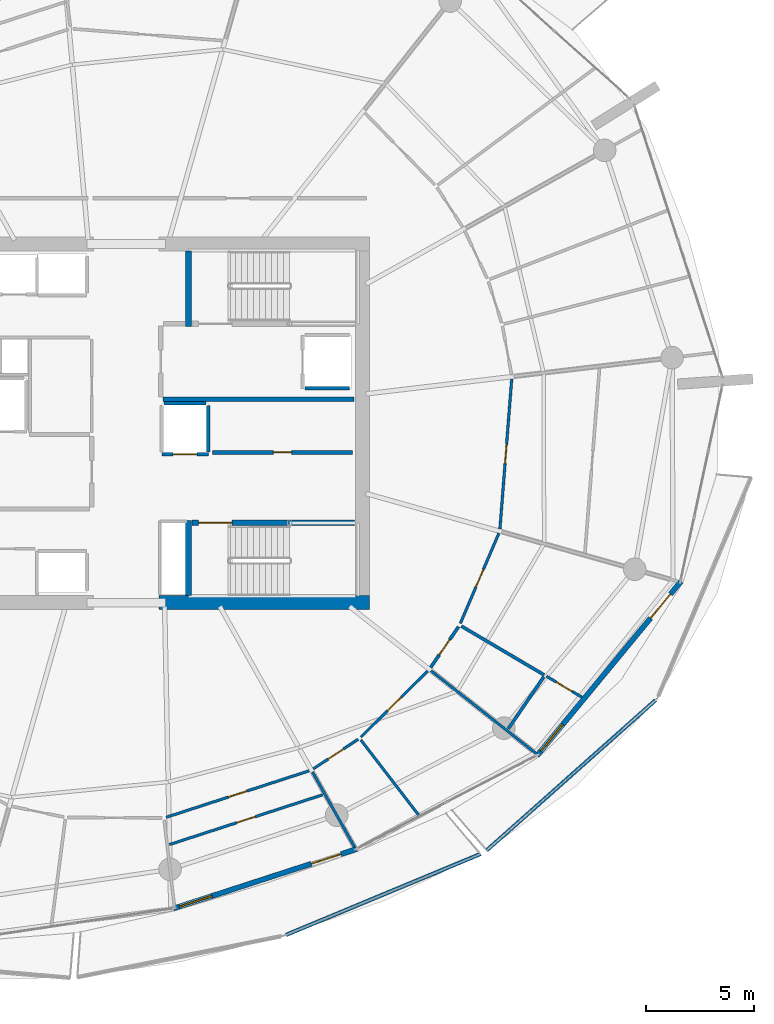
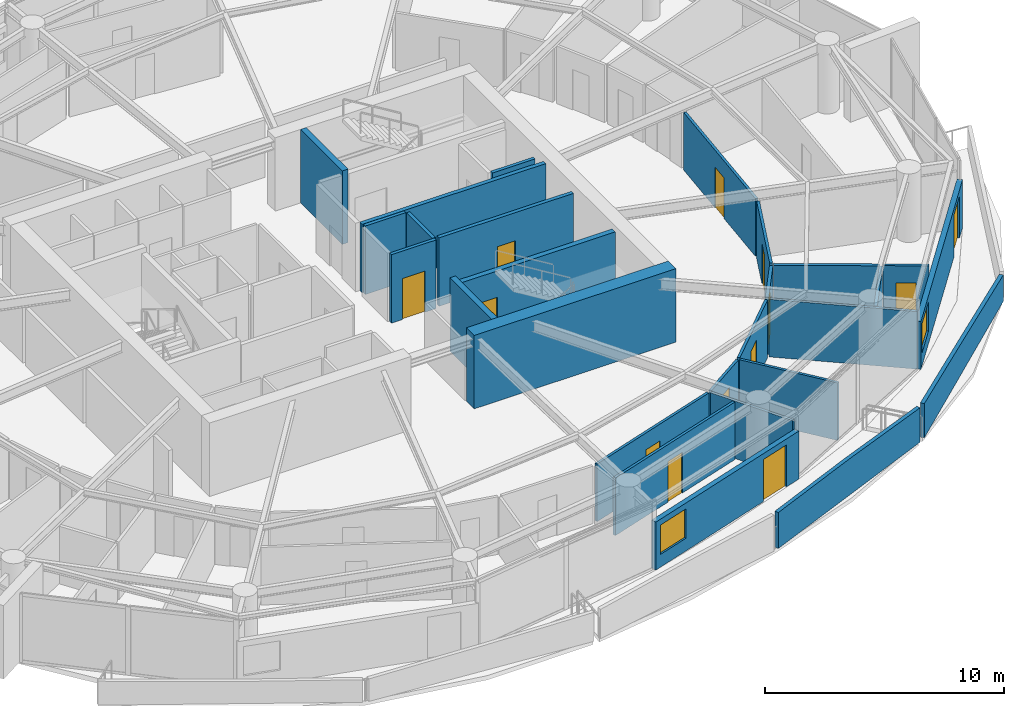
# One storey, part 13 of 21: 27 walls, 13 doors, 2 windows, 15 openings.
"""IFC4 building model written with IfcOpenShell, lengths in metres."""

from ifc_helpers import new_model, si_unit, direction, frame, frame_2d, origin, place, context, subcontext, project, spatial, polyline, rectangle, outline, extrude, material, layer, layer_set, type_object, element, fill, save


model = new_model("IFC4")

# Units and contexts
model_context = context("Model", 3, precision=1e-05, world=origin(), true_north=direction((0.0, 1.0)))
body_context = subcontext(model_context, "Body", "Model", "MODEL_VIEW")
ifc_project = project(units=[si_unit("LENGTHUNIT", "METRE"), si_unit("AREAUNIT", "SQUARE_METRE"), si_unit("VOLUMEUNIT", "CUBIC_METRE"), si_unit("PLANEANGLEUNIT", "RADIAN"), si_unit("MASSUNIT", "GRAM", prefix="KILO")], contexts=[model_context])

# Site, building, storey
site_placement = place(None, origin())
site = spatial("IfcSite", under=ifc_project, at=site_placement, CompositionType="ELEMENT")
building_placement = place(site_placement, origin())
building = spatial("IfcBuilding", under=site, at=building_placement, Name="Kazma Halo Residences", CompositionType="ELEMENT")
storey_placement = place(building_placement, frame((0.0, 0.0, 195.300048828125)))
storey = spatial("IfcBuildingStorey", under=building, at=storey_placement, Name="L49", CompositionType="ELEMENT", Elevation=195.300048828125)

# Walls
ifc_material_1 = material(Name="White Concrete C50/60 Balustrade", Category="concrete")
ifc_layer_1 = layer(ifc_material_1, 0.179931640625)
ifc_layer_set_1 = layer_set([ifc_layer_1], Name="White Concrete C50/60 Balustrade")
wall_type_1 = type_object("IfcWallType", Name="WL-BAL-WAVE-180", PredefinedType="PARAPET", material=ifc_layer_set_1)
wall_1_placement = place(storey_placement, frame((55.8408203125, 18.25537109375, 0.0), z_axis=(0.0, 0.0, 1.0), x_axis=(0.923266030552, 0.38416121203, 0.0)))
element("IfcWall", 1, at=wall_1_placement, inside=storey, type_object=wall_type_1, Name="L49 white wave balustrade wall SSE.2", PredefinedType="PARAPET", context=body_context, shape_type="SweptSolid", body=[
    extrude(outline(polyline([(0.0, 0.0), (9.772216796875, 0.0), (9.772216796875, 1.755859375), (4.885986328125, 1.85302734375), (0.0, 1.83203125), (0.0, 0.0)])), frame((0.0, 0.08984375, 0.0), z_axis=(0.0, -1.0, 0.0), x_axis=(1.0, 0.0, 0.0)), (0.0, 0.0, 1.0), 0.179931640625),
])
wall_2_placement = place(storey_placement, frame((65.144287109375, 22.17333984375, 0.0), z_axis=(0.0, 0.0, 1.0), x_axis=(0.747315583536, 0.664469275892, 0.0)))
element("IfcWall", 2, at=wall_2_placement, inside=storey, type_object=wall_type_1, Name="L49 white wave balustrade wall SE.1", PredefinedType="PARAPET", context=body_context, shape_type="SweptSolid", body=[
    extrude(outline(polyline([(0.0, 0.0), (10.490966796875, 0.0), (10.4912109375, 1.347900390625), (5.24560546875, 1.56201171875), (0.0, 1.7470703125), (0.0, 0.0)])), frame((0.0, 0.08984375, 0.0), z_axis=(0.0, -1.0, 0.0), x_axis=(1.0, 0.0, 0.0)), (0.0, 0.0, 1.0), 0.179931640625),
])
ifc_material_2 = material(Name="Concrete C60/75", Category="concrete")
ifc_layer_2 = layer(ifc_material_2, 0.64990234375)
ifc_layer_set_2 = layer_set([ifc_layer_2], Name="Concrete C60/75")
wall_type_2 = type_object("IfcWallType", Name="WL-CORE-650", PredefinedType="SHEAR", material=ifc_layer_set_2)
wall_3_placement = place(storey_placement, frame((49.949951171875, 33.675048828125, 0.0), z_axis=(0.0, 0.0, 1.0), x_axis=(1.0, 0.0, 0.0)))
element("IfcWall", 3, at=wall_3_placement, inside=storey, type_object=wall_type_2, Name="L49 central core shear wall SE", PredefinedType="SHEAR", context=body_context, shape_type="SweptSolid", body=[
    extrude(rectangle(XDim=9.75, YDim=0.64990234375, at=frame_2d((4.875, 0.0))), origin(), (0.0, 0.0, 1.0), 3.75),
])
ifc_layer_3 = layer(ifc_material_2, 0.280029296875)
ifc_layer_set_3 = layer_set([ifc_layer_3], Name="Concrete C60/75")
wall_type_3 = type_object("IfcWallType", Name="WL-CORE-ST-280", PredefinedType="SHEAR", material=ifc_layer_set_3)
for number, where, z_axis, x_axis, name in (
    (4, (51.31005859375, 46.5, 0.0), (0.0, 0.0, 1.0), (0.0, 1.0, 0.0), "L49 stairwell bearing wall ST02-W"),
    (5, (51.31005859375, 34.0, 0.0), (0.0, 0.0, 1.0), (0.0, 1.0, 0.0), "L49 stairwell bearing wall ST03-W"),
):
    element("IfcWall", number, at=place(storey_placement, frame(where, z_axis=z_axis, x_axis=x_axis)), inside=storey, type_object=wall_type_3, Name=name, PredefinedType="SHEAR", context=body_context, shape_type="SweptSolid", body=[
        extrude(rectangle(XDim=3.5, YDim=0.280029296875, at=frame_2d((1.75, 0.0))), origin(), (0.0, 0.0, 1.0), 3.75),
    ])

# Wall, openings, door, window
ifc_material_3 = material(Name="Insulated Pale-Metal Composite Wall")
ifc_layer_4 = layer(ifc_material_3, 0.239990234375)
ifc_layer_set_4 = layer_set([ifc_layer_4], Name="Insulated Pale-Metal Composite Wall")
wall_type_4 = type_object("IfcWallType", Name="WL-EXT-HOST-240", PredefinedType="SOLIDWALL", material=ifc_layer_set_4)
wall_4_placement = place(storey_placement, frame((50.61572265625, 19.481201171875, 0.0), z_axis=(0.0, 0.0, 1.0), x_axis=(0.951058543936, 0.309010753869, 0.0)))
wall_4 = element("IfcWall", 6, at=wall_4_placement, inside=storey, type_object=wall_type_4, Name="L49 exterior terrace-access wall B12", PredefinedType="SOLIDWALL", context=body_context, shape_type="SweptSolid", body=[
    extrude(rectangle(XDim=8.942138671875, YDim=0.239990234375, at=frame_2d((4.47119140625, 0.0))), origin(), (0.0, 0.0, 1.0), 2.449951171875),
])
opening_1_placement = place(wall_4_placement, frame((6.721923828125, 0.0, 0.0)))
opening_1 = element("IfcOpeningElement", 7, at=opening_1_placement, cuts=wall_4, Name="Opening DTR-1600", PredefinedType="OPENING", context=body_context, shape_type="SweptSolid", body=[
    extrude(rectangle(XDim=1.449951171875, YDim=2.14990234375, at=frame_2d((0.72509765625, 1.074951171875))), frame((0.0, 0.1298828125, 0.0), z_axis=(0.0, -1.0, 0.0), x_axis=(1.0, 0.0, 0.0)), (0.0, 0.0, 1.0), 0.260009765625),
])
opening_2_placement = place(wall_4_placement, frame((0.280029296875, 0.0, 0.64990234375)))
opening_2 = element("IfcOpeningElement", 8, at=opening_2_placement, cuts=wall_4, Name="Opening W-1800", PredefinedType="OPENING", context=body_context, shape_type="SweptSolid", body=[
    extrude(rectangle(XDim=1.60009765625, YDim=1.5, at=frame_2d((0.800048828125, 0.75))), frame((0.0, 0.1298828125, 0.0), z_axis=(0.0, -1.0, 0.0), x_axis=(1.0, 0.0, 0.0)), (0.0, 0.0, 1.0), 0.260009765625),
])
ifc_material_4 = material(Name="Aluminium AW-6063 T6 Double-Glazed Terrace Door", Category="aluminium")
door_type_1 = type_object("IfcDoorType", Name="DR-EXT-TERR-1600", OperationType="NOTDEFINED", PredefinedType="DOOR", material=ifc_material_4)
door_1_placement = place(opening_1_placement, origin())
door_1 = element("IfcDoor", 9, at=door_1_placement, inside=storey, type_object=door_type_1, Name="L49 B12 balcony terrace door", OperationType="DOUBLE_DOOR_SLIDING", OverallHeight=2.14990234375, OverallWidth=1.449951171875, PredefinedType="DOOR", context=body_context, shape_type="SweptSolid", body=[
    extrude(rectangle(XDim=1.449951171875, YDim=2.14990234375, at=frame_2d((0.72509765625, 1.074951171875))), frame((0.0, 0.02490234375, 0.0), z_axis=(0.0, -1.0, 0.0), x_axis=(1.0, 0.0, 0.0)), (0.0, 0.0, 1.0), 0.050048828125),
])
fill(opening_1, door_1)
ifc_material_5 = material(Name="Clear Triple-Silver Low-E Glass in Aluminium AW-6063 T6 Frame", Category="aluminium")
window_type = type_object("IfcWindowType", Name="WIN-RES-1800", PartitioningType="DOUBLE_PANEL_VERTICAL", PredefinedType="WINDOW", material=ifc_material_5)
window_1_placement = place(opening_2_placement, origin())
window_1 = element("IfcWindow", 10, at=window_1_placement, inside=storey, type_object=window_type, Name="L49 B12 apartment window", OverallHeight=1.5, OverallWidth=1.60009765625, PartitioningType="SINGLE_PANEL", PredefinedType="WINDOW", context=body_context, shape_type="SweptSolid", body=[
    extrude(rectangle(XDim=1.60009765625, YDim=1.5, at=frame_2d((0.800048828125, 0.75))), frame((0.0, 0.030029296875, 0.0), z_axis=(0.0, -1.0, 0.0), x_axis=(1.0, 0.0, 0.0)), (0.0, 0.0, 1.0), 0.06005859375),
])
fill(opening_2, window_1)

wall_5_placement = place(storey_placement, frame((67.485107421875, 26.57568359375, 0.0), z_axis=(0.0, 0.0, 1.0), x_axis=(0.636759394418, 0.771062561418, 0.0)))
wall_5 = element("IfcWall", 11, at=wall_5_placement, inside=storey, type_object=wall_type_4, Name="L49 exterior terrace-access wall B14", PredefinedType="SOLIDWALL", context=body_context, shape_type="SweptSolid", body=[
    extrude(rectangle(XDim=10.494384765625, YDim=0.239990234375, at=frame_2d((5.2470703125, 0.0))), origin(), (0.0, 0.0, 1.0), 2.449951171875),
])
opening_3_placement = place(wall_5_placement, frame((8.2744140625, 0.0, 0.0)))
opening_3 = element("IfcOpeningElement", 12, at=opening_3_placement, cuts=wall_5, Name="Opening DTR-1600", PredefinedType="OPENING", context=body_context, shape_type="SweptSolid", body=[
    extrude(rectangle(XDim=1.449951171875, YDim=2.14990234375, at=frame_2d((0.72509765625, 1.074951171875))), frame((0.0, 0.1298828125, 0.0), z_axis=(0.0, -1.0, 0.0), x_axis=(1.0, 0.0, 0.0)), (0.0, 0.0, 1.0), 0.260009765625),
])
opening_4_placement = place(wall_5_placement, frame((0.280029296875, 0.0, 0.64990234375)))
opening_4 = element("IfcOpeningElement", 13, at=opening_4_placement, cuts=wall_5, Name="Opening W-1800", PredefinedType="OPENING", context=body_context, shape_type="SweptSolid", body=[
    extrude(rectangle(XDim=1.60009765625, YDim=1.5, at=frame_2d((0.800048828125, 0.75))), frame((0.0, 0.1298828125, 0.0), z_axis=(0.0, -1.0, 0.0), x_axis=(1.0, 0.0, 0.0)), (0.0, 0.0, 1.0), 0.260009765625),
])
door_2_placement = place(opening_3_placement, origin())
door_2 = element("IfcDoor", 14, at=door_2_placement, inside=storey, type_object=door_type_1, Name="L49 B14 balcony terrace door", OperationType="DOUBLE_DOOR_SLIDING", OverallHeight=2.14990234375, OverallWidth=1.449951171875, PredefinedType="DOOR", context=body_context, shape_type="SweptSolid", body=[
    extrude(rectangle(XDim=1.449951171875, YDim=2.14990234375, at=frame_2d((0.72509765625, 1.074951171875))), frame((0.0, 0.02490234375, 0.0), z_axis=(0.0, -1.0, 0.0), x_axis=(1.0, 0.0, 0.0)), (0.0, 0.0, 1.0), 0.050048828125),
])
fill(opening_3, door_2)
window_2_placement = place(opening_4_placement, origin())
window_2 = element("IfcWindow", 15, at=window_2_placement, inside=storey, type_object=window_type, Name="L49 B14 apartment window", OverallHeight=1.5, OverallWidth=1.60009765625, PartitioningType="SINGLE_PANEL", PredefinedType="WINDOW", context=body_context, shape_type="SweptSolid", body=[
    extrude(rectangle(XDim=1.60009765625, YDim=1.5, at=frame_2d((0.800048828125, 0.75))), frame((0.0, 0.030029296875, 0.0), z_axis=(0.0, -1.0, 0.0), x_axis=(1.0, 0.0, 0.0)), (0.0, 0.0, 1.0), 0.06005859375),
])
fill(opening_4, window_2)

# Wall
ifc_material_6 = material(Name="Fire-Rated Blockwork Masonry", Category="masonry")
ifc_layer_5 = layer(ifc_material_6, 0.199951171875)
ifc_layer_set_5 = layer_set([ifc_layer_5], Name="Fire-Rated Blockwork Masonry")
wall_type_5 = type_object("IfcWallType", Name="WL-FLB-200", PredefinedType="PARTITIONING", material=ifc_layer_set_5)
wall_6_placement = place(storey_placement, frame((56.719970703125, 43.6201171875, 0.0), z_axis=(0.0, 0.0, 1.0), x_axis=(1.0, 0.0, 0.0)))
element("IfcWall", 16, at=wall_6_placement, inside=storey, type_object=wall_type_5, Name="L49 lift shaft FL-02 side wall S", PredefinedType="PARTITIONING", context=body_context, shape_type="SweptSolid", body=[
    extrude(rectangle(XDim=2.06005859375, YDim=0.159912109375, at=frame_2d((1.030029296875, 0.0))), origin(), (0.0, 0.0, 1.0), 3.5),
])

# Wall, opening, door
wall_7_placement = place(storey_placement, frame((52.22998046875, 40.570068359375, 0.0), z_axis=(0.0, 0.0, 1.0), x_axis=(-1.0, 0.0, 0.0)))
wall_7 = element("IfcWall", 17, at=wall_7_placement, inside=storey, type_object=wall_type_5, Name="L49 lift shaft SV-01 front wall", PredefinedType="PARTITIONING", context=body_context, shape_type="SweptSolid", body=[
    extrude(rectangle(XDim=2.159912109375, YDim=0.159912109375, at=frame_2d((1.080078125, 0.0))), origin(), (0.0, 0.0, 1.0), 3.5),
])
opening_5_placement = place(wall_7_placement, frame((0.530029296875, 0.0, 0.0)))
opening_5 = element("IfcOpeningElement", 18, at=opening_5_placement, cuts=wall_7, Name="Opening LD-SV-01", PredefinedType="OPENING", context=body_context, shape_type="SweptSolid", body=[
    extrude(rectangle(XDim=1.10009765625, YDim=2.10009765625, at=frame_2d((0.550048828125, 1.050048828125))), frame((0.0, 0.08984375, 0.0), z_axis=(0.0, -1.0, 0.0), x_axis=(1.0, 0.0, 0.0)), (0.0, 0.0, 1.0), 0.179931640625),
])
ifc_material_7 = material(Name="Stainless Steel Fire-Rated", Category="steel")
door_type_2 = type_object("IfcDoorType", Name="DR-LIFT-SLD-1100", OperationType="DOUBLE_DOOR_SLIDING", PredefinedType="DOOR", material=ifc_material_7)
door_3_placement = place(opening_5_placement, origin())
door_3 = element("IfcDoor", 19, at=door_3_placement, inside=storey, type_object=door_type_2, Name="L49 lift SV-01 sliding landing door", OperationType="DOUBLE_DOOR_SLIDING", OverallHeight=2.10009765625, OverallWidth=1.10009765625, PredefinedType="DOOR", context=body_context, shape_type="SweptSolid", body=[
    extrude(rectangle(XDim=1.10009765625, YDim=2.10009765625, at=frame_2d((0.550048828125, 1.050048828125))), frame((0.0, 0.02490234375, 0.0), z_axis=(0.0, -1.0, 0.0), x_axis=(1.0, 0.0, 0.0)), (0.0, 0.0, 1.0), 0.050048828125),
])
fill(opening_5, door_3)

# Walls
wall_8_placement = place(storey_placement, frame((52.22998046875, 40.669921875, 0.0), z_axis=(0.0, 0.0, 1.0), x_axis=(0.0, 1.0, 0.0)))
element("IfcWall", 20, at=wall_8_placement, inside=storey, type_object=wall_type_5, Name="L49 lift shaft SV-01 side wall E", PredefinedType="PARTITIONING", context=body_context, shape_type="SweptSolid", body=[
    extrude(rectangle(XDim=2.16015625, YDim=0.159912109375, at=frame_2d((1.080078125, 0.0))), origin(), (0.0, 0.0, 1.0), 3.5),
])
wall_9_placement = place(storey_placement, frame((50.169921875, 42.929931640625, 0.0), z_axis=(0.0, 0.0, 1.0), x_axis=(1.0, 0.0, 0.0)))
element("IfcWall", 21, at=wall_9_placement, inside=storey, type_object=wall_type_5, Name="L49 lift shaft SV-01 side wall N", PredefinedType="PARTITIONING", context=body_context, shape_type="SweptSolid", body=[
    extrude(rectangle(XDim=1.9599609375, YDim=0.159912109375, at=frame_2d((0.97998046875, 0.0))), origin(), (0.0, 0.0, 1.0), 3.5),
])

# Wall, opening, door
wall_10_placement = place(storey_placement, frame((52.419921875, 40.64990234375, 0.0), z_axis=(0.0, 0.0, 1.0), x_axis=(1.0, 0.0, 0.0)))
wall_10 = element("IfcWall", 22, at=wall_10_placement, inside=storey, type_object=wall_type_5, Name="L49 core east reserve wall", PredefinedType="PARTITIONING", context=body_context, shape_type="SweptSolid", body=[
    extrude(rectangle(XDim=6.5, YDim=0.179931640625, at=frame_2d((3.25, 0.0))), origin(), (0.0, 0.0, 1.0), 3.5),
])
opening_6_placement = place(wall_10_placement, frame((2.824951171875, 0.0, 0.0)))
opening_6 = element("IfcOpeningElement", 23, at=opening_6_placement, cuts=wall_10, Name="Opening DS-850", PredefinedType="OPENING", context=body_context, shape_type="SweptSolid", body=[
    extrude(rectangle(XDim=0.85009765625, YDim=2.06005859375, at=frame_2d((0.425048828125, 1.030029296875))), frame((0.0, 0.099853515625, 0.0), z_axis=(0.0, -1.0, 0.0), x_axis=(1.0, 0.0, 0.0)), (0.0, 0.0, 1.0), 0.199951171875),
])
ifc_material_8 = material(Name="Painted Steel Access Leaf", Category="steel")
door_type_3 = type_object("IfcDoorType", Name="DR-SVC-850", OperationType="NOTDEFINED", PredefinedType="DOOR", material=ifc_material_8)
door_4_placement = place(opening_6_placement, origin())
door_4 = element("IfcDoor", 24, at=door_4_placement, inside=storey, type_object=door_type_3, Name="L49 core east reserve door", OperationType="SINGLE_SWING_RIGHT", OverallHeight=2.06005859375, OverallWidth=0.85009765625, PredefinedType="DOOR", context=body_context, shape_type="SweptSolid", body=[
    extrude(rectangle(XDim=0.85009765625, YDim=2.06005859375, at=frame_2d((0.425048828125, 1.030029296875))), frame((0.0, 0.02490234375, 0.0), z_axis=(0.0, -1.0, 0.0), x_axis=(1.0, 0.0, 0.0)), (0.0, 0.0, 1.0), 0.050048828125),
])
fill(opening_6, door_4)

# Wall
wall_11_placement = place(storey_placement, frame((50.1201171875, 43.1201171875, 0.0), z_axis=(0.0, 0.0, 1.0), x_axis=(1.0, 0.0, 0.0)))
element("IfcWall", 25, at=wall_11_placement, inside=storey, type_object=wall_type_5, Name="L49 east firefighting lobby south smoke wall", PredefinedType="PARTITIONING", context=body_context, shape_type="SweptSolid", body=[
    extrude(rectangle(XDim=8.8798828125, YDim=0.199951171875, at=frame_2d((4.43994140625, 0.0))), origin(), (0.0, 0.0, 1.0), 3.5),
])

# Wall, opening, door
ifc_material_9 = material(Name="Gypsum Plasterboard Partition")
ifc_layer_6 = layer(ifc_material_9, 0.125)
ifc_layer_set_6 = layer_set([ifc_layer_6], Name="Gypsum Plasterboard Partition")
wall_type_6 = type_object("IfcWallType", Name="WL-PART-125", PredefinedType="PARTITIONING", material=ifc_layer_set_6)
wall_12_placement = place(storey_placement, frame((50.272705078125, 23.71484375, 0.0), z_axis=(0.0, 0.0, 1.0), x_axis=(0.951056178842, 0.309018032946, 0.0)))
wall_12 = element("IfcWall", 26, at=wall_12_placement, inside=storey, type_object=wall_type_6, Name="L49 Apartment 2 Inner Study hall wall", PredefinedType="PARTITIONING", context=body_context, shape_type="SweptSolid", body=[
    extrude(rectangle(XDim=6.977783203125, YDim=0.125, at=frame_2d((3.48876953125, 0.0))), origin(), (0.0, 0.0, 1.0), 2.93994140625),
])
opening_7_placement = place(wall_12_placement, frame((3.038818359375, 0.0, 0.0)))
opening_7 = element("IfcOpeningElement", 27, at=opening_7_placement, cuts=wall_12, Name="Opening DI-950", PredefinedType="OPENING", context=body_context, shape_type="SweptSolid", body=[
    extrude(rectangle(XDim=0.89990234375, YDim=2.080078125, at=frame_2d((0.449951171875, 1.0400390625))), frame((0.0, 0.072509765625, 0.0), z_axis=(0.0, -1.0, 0.0), x_axis=(1.0, 0.0, 0.0)), (0.0, 0.0, 1.0), 0.14501953125),
])
ifc_material_10 = material(Name="Timber Veneer Flush Leaf", Category="wood")
door_type_4 = type_object("IfcDoorType", Name="DR-INT-950", OperationType="NOTDEFINED", PredefinedType="DOOR", material=ifc_material_10)
door_5_placement = place(opening_7_placement, origin())
door_5 = element("IfcDoor", 28, at=door_5_placement, inside=storey, type_object=door_type_4, Name="L49 Apartment 2 Inner Study door", OperationType="SINGLE_SWING_LEFT", OverallHeight=2.080078125, OverallWidth=0.89990234375, PredefinedType="DOOR", context=body_context, shape_type="SweptSolid", body=[
    extrude(rectangle(XDim=0.89990234375, YDim=2.080078125, at=frame_2d((0.449951171875, 1.0400390625))), frame((0.0, 0.02490234375, 0.0), z_axis=(0.0, -1.0, 0.0), x_axis=(1.0, 0.0, 0.0)), (0.0, 0.0, 1.0), 0.050048828125),
])
fill(opening_7, door_5)

wall_13_placement = place(storey_placement, frame((50.4228515625, 22.44775390625, 0.0), z_axis=(0.0, 0.0, 1.0), x_axis=(0.95105638647, 0.309017393935, 0.0)))
wall_13 = element("IfcWall", 29, at=wall_13_placement, inside=storey, type_object=wall_type_6, Name="L49 Apartment 2 Outer Bedroom divider wall", PredefinedType="PARTITIONING", context=body_context, shape_type="SweptSolid", body=[
    extrude(rectangle(XDim=7.4755859375, YDim=0.125, at=frame_2d((3.73779296875, 0.0))), origin(), (0.0, 0.0, 1.0), 2.93994140625),
])
opening_8_placement = place(wall_13_placement, frame((3.287841796875, 0.0, 0.0)))
opening_8 = element("IfcOpeningElement", 30, at=opening_8_placement, cuts=wall_13, Name="Opening DI-950", PredefinedType="OPENING", context=body_context, shape_type="SweptSolid", body=[
    extrude(rectangle(XDim=0.89990234375, YDim=2.080078125, at=frame_2d((0.449951171875, 1.0400390625))), frame((0.0, 0.072509765625, 0.0), z_axis=(0.0, -1.0, 0.0), x_axis=(1.0, 0.0, 0.0)), (0.0, 0.0, 1.0), 0.14501953125),
])
door_6_placement = place(opening_8_placement, origin())
door_6 = element("IfcDoor", 31, at=door_6_placement, inside=storey, type_object=door_type_4, Name="L49 Apartment 2 Outer Bedroom door", OperationType="SINGLE_SWING_RIGHT", OverallHeight=2.080078125, OverallWidth=0.89990234375, PredefinedType="DOOR", context=body_context, shape_type="SweptSolid", body=[
    extrude(rectangle(XDim=0.89990234375, YDim=2.080078125, at=frame_2d((0.449951171875, 1.0400390625))), frame((0.0, 0.02490234375, 0.0), z_axis=(0.0, -1.0, 0.0), x_axis=(1.0, 0.0, 0.0)), (0.0, 0.0, 1.0), 0.050048828125),
])
fill(opening_8, door_6)

# Walls
wall_14_placement = place(storey_placement, frame((57.0625, 25.81787109375, 0.0), z_axis=(0.0, 0.0, 1.0), x_axis=(0.488592185259, -0.872512278712, 0.0)))
element("IfcWall", 32, at=wall_14_placement, inside=storey, type_object=wall_type_6, Name="L49 Apartment 2 radial partition 12", PredefinedType="PARTITIONING", context=body_context, shape_type="SweptSolid", body=[
    extrude(rectangle(XDim=3.988525390625, YDim=0.125, at=frame_2d((1.994140625, 0.0))), origin(), (0.0, 0.0, 1.0), 2.93994140625),
])
wall_15_placement = place(storey_placement, frame((59.303955078125, 27.308349609375, 0.0), z_axis=(0.0, 0.0, 1.0), x_axis=(0.609795684381, -0.792558656069, 0.0)))
element("IfcWall", 33, at=wall_15_placement, inside=storey, type_object=wall_type_6, Name="L49 Apartment 2 mid-bay wall 12", PredefinedType="PARTITIONING", context=body_context, shape_type="SweptSolid", body=[
    extrude(rectangle(XDim=4.445556640625, YDim=0.125, at=frame_2d((2.22265625, 0.0))), origin(), (0.0, 0.0, 1.0), 2.93994140625),
])

# Wall, opening, door
wall_16_placement = place(storey_placement, frame((57.09716796875, 25.960205078125, 0.0), z_axis=(0.0, 0.0, 1.0), x_axis=(0.834717236366, 0.550678795045, 0.0)))
wall_16 = element("IfcWall", 34, at=wall_16_placement, inside=storey, type_object=wall_type_6, Name="L49 Apartment 2 Corner Private Study hall wall", PredefinedType="PARTITIONING", context=body_context, shape_type="SweptSolid", body=[
    extrude(rectangle(XDim=2.497802734375, YDim=0.125, at=frame_2d((1.2490234375, 0.0))), origin(), (0.0, 0.0, 1.0), 2.93994140625),
])
opening_9_placement = place(wall_16_placement, frame((0.823974609375, 0.0, 0.0)))
opening_9 = element("IfcOpeningElement", 35, at=opening_9_placement, cuts=wall_16, Name="Opening DB-900", PredefinedType="OPENING", context=body_context, shape_type="SweptSolid", body=[
    extrude(rectangle(XDim=0.85009765625, YDim=2.06005859375, at=frame_2d((0.425048828125, 1.030029296875))), frame((0.0, 0.072509765625, 0.0), z_axis=(0.0, -1.0, 0.0), x_axis=(1.0, 0.0, 0.0)), (0.0, 0.0, 1.0), 0.14501953125),
])
ifc_material_11 = material(Name="Moisture-Sealed Timber Leaf", Category="wood")
door_type_5 = type_object("IfcDoorType", Name="DR-BTH-900", OperationType="NOTDEFINED", PredefinedType="DOOR", material=ifc_material_11)
door_7_placement = place(opening_9_placement, origin())
door_7 = element("IfcDoor", 36, at=door_7_placement, inside=storey, type_object=door_type_5, Name="L49 Apartment 2 Corner Private Study door", OperationType="SINGLE_SWING_RIGHT", OverallHeight=2.06005859375, OverallWidth=0.85009765625, PredefinedType="DOOR", context=body_context, shape_type="SweptSolid", body=[
    extrude(rectangle(XDim=0.85009765625, YDim=2.06005859375, at=frame_2d((0.425048828125, 1.030029296875))), frame((0.0, 0.02490234375, 0.0), z_axis=(0.0, -1.0, 0.0), x_axis=(1.0, 0.0, 0.0)), (0.0, 0.0, 1.0), 0.050048828125),
])
fill(opening_9, door_7)

wall_17_placement = place(storey_placement, frame((59.305908203125, 27.435791015625, 0.0), z_axis=(0.0, 0.0, 1.0), x_axis=(0.711226825513, 0.702962589808, 0.0)))
wall_17 = element("IfcWall", 37, at=wall_17_placement, inside=storey, type_object=wall_type_6, Name="L49 Apartment 2 Garden Bedroom hall wall", PredefinedType="PARTITIONING", context=body_context, shape_type="SweptSolid", body=[
    extrude(rectangle(XDim=4.3720703125, YDim=0.125, at=frame_2d((2.18603515625, 0.0))), origin(), (0.0, 0.0, 1.0), 2.93994140625),
])
opening_10_placement = place(wall_17_placement, frame((1.736083984375, 0.0, 0.0)))
opening_10 = element("IfcOpeningElement", 38, at=opening_10_placement, cuts=wall_17, Name="Opening DI-950", PredefinedType="OPENING", context=body_context, shape_type="SweptSolid", body=[
    extrude(rectangle(XDim=0.89990234375, YDim=2.080078125, at=frame_2d((0.449951171875, 1.0400390625))), frame((0.0, 0.072509765625, 0.0), z_axis=(0.0, -1.0, 0.0), x_axis=(1.0, 0.0, 0.0)), (0.0, 0.0, 1.0), 0.14501953125),
])
door_8_placement = place(opening_10_placement, origin())
door_8 = element("IfcDoor", 39, at=door_8_placement, inside=storey, type_object=door_type_4, Name="L49 Apartment 2 Garden Bedroom door", OperationType="SINGLE_SWING_LEFT", OverallHeight=2.080078125, OverallWidth=0.89990234375, PredefinedType="DOOR", context=body_context, shape_type="SweptSolid", body=[
    extrude(rectangle(XDim=0.89990234375, YDim=2.080078125, at=frame_2d((0.449951171875, 1.0400390625))), frame((0.0, 0.02490234375, 0.0), z_axis=(0.0, -1.0, 0.0), x_axis=(1.0, 0.0, 0.0)), (0.0, 0.0, 1.0), 0.050048828125),
])
fill(opening_10, door_8)

# Wall
wall_18_placement = place(storey_placement, frame((62.565185546875, 30.517578125, 0.0), z_axis=(0.0, 0.0, 1.0), x_axis=(0.785335313668, -0.619070630144, 0.0)))
element("IfcWall", 40, at=wall_18_placement, inside=storey, type_object=wall_type_6, Name="L49 Apartment 2 radial partition 13", PredefinedType="PARTITIONING", context=body_context, shape_type="SweptSolid", body=[
    extrude(rectangle(XDim=6.2802734375, YDim=0.125, at=frame_2d((3.14013671875, 0.0))), origin(), (0.0, 0.0, 1.0), 2.93994140625),
])

# Wall, opening, door
wall_19_placement = place(storey_placement, frame((67.9248046875, 30.2587890625, 0.0), z_axis=(0.0, 0.0, 1.0), x_axis=(0.861545463778, -0.507680424917, 0.0)))
wall_19 = element("IfcWall", 41, at=wall_19_placement, inside=storey, type_object=wall_type_6, Name="L49 Apartment 2 Gulf Walk-In Wardrobe partition wall", PredefinedType="PARTITIONING", context=body_context, shape_type="SweptSolid", body=[
    extrude(rectangle(XDim=1.90625, YDim=0.125, at=frame_2d((0.953125, 0.0))), origin(), (0.0, 0.0, 1.0), 2.93994140625),
])
opening_11_placement = place(wall_19_placement, frame((0.5283203125, 0.0, 0.0)))
opening_11 = element("IfcOpeningElement", 42, at=opening_11_placement, cuts=wall_19, Name="Opening DB-900", PredefinedType="OPENING", context=body_context, shape_type="SweptSolid", body=[
    extrude(rectangle(XDim=0.85009765625, YDim=2.06005859375, at=frame_2d((0.425048828125, 1.030029296875))), frame((0.0, 0.072509765625, 0.0), z_axis=(0.0, -1.0, 0.0), x_axis=(1.0, 0.0, 0.0)), (0.0, 0.0, 1.0), 0.14501953125),
])
door_9_placement = place(opening_11_placement, origin())
door_9 = element("IfcDoor", 43, at=door_9_placement, inside=storey, type_object=door_type_5, Name="L49 Apartment 2 Gulf Walk-In Wardrobe door", OperationType="SINGLE_SWING_RIGHT", OverallHeight=2.06005859375, OverallWidth=0.85009765625, PredefinedType="DOOR", context=body_context, shape_type="SweptSolid", body=[
    extrude(rectangle(XDim=0.85009765625, YDim=2.06005859375, at=frame_2d((0.425048828125, 1.030029296875))), frame((0.0, 0.02490234375, 0.0), z_axis=(0.0, -1.0, 0.0), x_axis=(1.0, 0.0, 0.0)), (0.0, 0.0, 1.0), 0.050048828125),
])
fill(opening_11, door_9)

wall_20_placement = place(storey_placement, frame((63.92822265625, 32.717529296875, 0.0), z_axis=(0.0, 0.0, 1.0), x_axis=(0.392824298442, 0.919613544133, 0.0)))
wall_20 = element("IfcWall", 44, at=wall_20_placement, inside=storey, type_object=wall_type_6, Name="L49 Apartment 2 Primary Master Bedroom hall wall", PredefinedType="PARTITIONING", context=body_context, shape_type="SweptSolid", body=[
    extrude(rectangle(XDim=4.548828125, YDim=0.125, at=frame_2d((2.2744140625, 0.0))), origin(), (0.0, 0.0, 1.0), 2.93994140625),
])
opening_12_placement = place(wall_20_placement, frame((1.824462890625, 0.0, 0.0)))
opening_12 = element("IfcOpeningElement", 45, at=opening_12_placement, cuts=wall_20, Name="Opening DI-950", PredefinedType="OPENING", context=body_context, shape_type="SweptSolid", body=[
    extrude(rectangle(XDim=0.89990234375, YDim=2.080078125, at=frame_2d((0.449951171875, 1.0400390625))), frame((0.0, 0.072509765625, 0.0), z_axis=(0.0, -1.0, 0.0), x_axis=(1.0, 0.0, 0.0)), (0.0, 0.0, 1.0), 0.14501953125),
])
door_10_placement = place(opening_12_placement, origin())
door_10 = element("IfcDoor", 46, at=door_10_placement, inside=storey, type_object=door_type_4, Name="L49 Apartment 2 Primary Master Bedroom door", OperationType="SINGLE_SWING_LEFT", OverallHeight=2.080078125, OverallWidth=0.89990234375, PredefinedType="DOOR", context=body_context, shape_type="SweptSolid", body=[
    extrude(rectangle(XDim=0.89990234375, YDim=2.080078125, at=frame_2d((0.449951171875, 1.0400390625))), frame((0.0, 0.02490234375, 0.0), z_axis=(0.0, -1.0, 0.0), x_axis=(1.0, 0.0, 0.0)), (0.0, 0.0, 1.0), 0.050048828125),
])
fill(opening_12, door_10)

wall_21_placement = place(storey_placement, frame((65.762939453125, 37.102294921875, 0.0), z_axis=(0.0, 0.0, 1.0), x_axis=(0.078478299552, 0.996915822173, 0.0)))
wall_21 = element("IfcWall", 47, at=wall_21_placement, inside=storey, type_object=wall_type_6, Name="L49 Apartment 2 Secondary Study hall wall", PredefinedType="PARTITIONING", context=body_context, shape_type="SweptSolid", body=[
    extrude(rectangle(XDim=6.977783203125, YDim=0.125, at=frame_2d((3.48876953125, 0.0))), origin(), (0.0, 0.0, 1.0), 2.93994140625),
])
opening_13_placement = place(wall_21_placement, frame((3.038818359375, 0.0, 0.0)))
opening_13 = element("IfcOpeningElement", 48, at=opening_13_placement, cuts=wall_21, Name="Opening DI-950", PredefinedType="OPENING", context=body_context, shape_type="SweptSolid", body=[
    extrude(rectangle(XDim=0.89990234375, YDim=2.080078125, at=frame_2d((0.449951171875, 1.0400390625))), frame((0.0, 0.072509765625, 0.0), z_axis=(0.0, -1.0, 0.0), x_axis=(1.0, 0.0, 0.0)), (0.0, 0.0, 1.0), 0.14501953125),
])
door_11_placement = place(opening_13_placement, origin())
door_11 = element("IfcDoor", 49, at=door_11_placement, inside=storey, type_object=door_type_4, Name="L49 Apartment 2 Secondary Study door", OperationType="SINGLE_SWING_RIGHT", OverallHeight=2.080078125, OverallWidth=0.89990234375, PredefinedType="DOOR", context=body_context, shape_type="SweptSolid", body=[
    extrude(rectangle(XDim=0.89990234375, YDim=2.080078125, at=frame_2d((0.449951171875, 1.0400390625))), frame((0.0, 0.02490234375, 0.0), z_axis=(0.0, -1.0, 0.0), x_axis=(1.0, 0.0, 0.0)), (0.0, 0.0, 1.0), 0.050048828125),
])
fill(opening_13, door_11)

ifc_material_12 = material(Name="Concrete C50/60", Category="concrete")
ifc_layer_7 = layer(ifc_material_12, 0.25)
ifc_layer_set_7 = layer_set([ifc_layer_7], Name="Concrete C50/60")
wall_type_7 = type_object("IfcWallType", Name="WL-SHF-250", PredefinedType="SOLIDWALL", material=ifc_layer_set_7)
wall_22_placement = place(storey_placement, frame((51.47998046875, 37.3798828125, 0.0), z_axis=(0.0, 0.0, 1.0), x_axis=(1.0, 0.0, 0.0)))
wall_22 = element("IfcWall", 50, at=wall_22_placement, inside=storey, type_object=wall_type_7, Name="L49 exit stair ST-03 enclosure wall", PredefinedType="SOLIDWALL", context=body_context, shape_type="SweptSolid", body=[
    extrude(rectangle(XDim=7.5400390625, YDim=0.25, at=frame_2d((3.77001953125, 0.0))), origin(), (0.0, 0.0, 1.0), 3.5),
])
opening_14_placement = place(wall_22_placement, frame((0.300048828125, 0.0, 0.0)))
opening_14 = element("IfcOpeningElement", 51, at=opening_14_placement, cuts=wall_22, Name="Opening D-ST3", PredefinedType="OPENING", context=body_context, shape_type="SweptSolid", body=[
    extrude(rectangle(XDim=1.550048828125, YDim=2.14990234375, at=frame_2d((0.77490234375, 1.074951171875))), frame((0.0, 0.135009765625, 0.0), z_axis=(0.0, -1.0, 0.0), x_axis=(1.0, 0.0, 0.0)), (0.0, 0.0, 1.0), 0.27001953125),
])
ifc_material_13 = material(Name="Fire-Rated Double Steel Leaf", Category="steel")
door_type_6 = type_object("IfcDoorType", Name="DR-FD90-1550", OperationType="NOTDEFINED", PredefinedType="DOOR", material=ifc_material_13)
door_12_placement = place(opening_14_placement, origin())
door_12 = element("IfcDoor", 52, at=door_12_placement, inside=storey, type_object=door_type_6, Name="L49 exit stair ST-03 fire door", OperationType="DOUBLE_DOOR_SINGLE_SWING", OverallHeight=2.14990234375, OverallWidth=1.550048828125, PredefinedType="DOOR", context=body_context, shape_type="SweptSolid", body=[
    extrude(rectangle(XDim=1.550048828125, YDim=2.14990234375, at=frame_2d((0.77490234375, 1.074951171875))), frame((0.0, 0.02490234375, 0.0), z_axis=(0.0, -1.0, 0.0), x_axis=(1.0, 0.0, 0.0)), (0.0, 0.0, 1.0), 0.050048828125),
])
fill(opening_14, door_12)

ifc_material_14 = material(Name="Moisture-Resistant Gypsum")
ifc_layer_8 = layer(ifc_material_14, 0.14990234375)
ifc_layer_set_8 = layer_set([ifc_layer_8], Name="Moisture-Resistant Gypsum")
wall_type_8 = type_object("IfcWallType", Name="WL-WET-150", PredefinedType="PARTITIONING", material=ifc_layer_set_8)
wall_23_placement = place(storey_placement, frame((62.543212890625, 30.662109375, 0.0), z_axis=(0.0, 0.0, 1.0), x_axis=(0.564702941821, 0.825294242981, 0.0)))
wall_23 = element("IfcWall", 53, at=wall_23_placement, inside=storey, type_object=wall_type_8, Name="L49 Apartment 2 Sky En-Suite Bathroom hall wall", PredefinedType="PARTITIONING", context=body_context, shape_type="SweptSolid", body=[
    extrude(rectangle(XDim=2.300048828125, YDim=0.14990234375, at=frame_2d((1.14990234375, 0.0))), origin(), (0.0, 0.0, 1.0), 2.93994140625),
])
opening_15_placement = place(wall_23_placement, frame((0.72509765625, 0.0, 0.0)))
opening_15 = element("IfcOpeningElement", 54, at=opening_15_placement, cuts=wall_23, Name="Opening DB-900", PredefinedType="OPENING", context=body_context, shape_type="SweptSolid", body=[
    extrude(rectangle(XDim=0.85009765625, YDim=2.06005859375, at=frame_2d((0.425048828125, 1.030029296875))), frame((0.0, 0.0849609375, 0.0), z_axis=(0.0, -1.0, 0.0), x_axis=(1.0, 0.0, 0.0)), (0.0, 0.0, 1.0), 0.169921875),
])
door_13_placement = place(opening_15_placement, origin())
door_13 = element("IfcDoor", 55, at=door_13_placement, inside=storey, type_object=door_type_5, Name="L49 Apartment 2 Sky En-Suite Bathroom door", OperationType="SINGLE_SWING_LEFT", OverallHeight=2.06005859375, OverallWidth=0.85009765625, PredefinedType="DOOR", context=body_context, shape_type="SweptSolid", body=[
    extrude(rectangle(XDim=0.85009765625, YDim=2.06005859375, at=frame_2d((0.425048828125, 1.030029296875))), frame((0.0, 0.02490234375, 0.0), z_axis=(0.0, -1.0, 0.0), x_axis=(1.0, 0.0, 0.0)), (0.0, 0.0, 1.0), 0.050048828125),
])
fill(opening_15, door_13)

# Walls
wall_24_placement = place(storey_placement, frame((66.147705078125, 27.8203125, 0.0), z_axis=(0.0, 0.0, 1.0), x_axis=(0.564674922638, 0.825313414251, 0.0)))
element("IfcWall", 56, at=wall_24_placement, inside=storey, type_object=wall_type_8, Name="L49 Apartment 2 Sky En-Suite Bathroom back wall", PredefinedType="PARTITIONING", context=body_context, shape_type="SweptSolid", body=[
    extrude(rectangle(XDim=2.919677734375, YDim=0.14990234375, at=frame_2d((1.4599609375, 0.0))), origin(), (0.0, 0.0, 1.0), 2.93994140625),
])
wall_25_placement = place(storey_placement, frame((63.97021484375, 32.589111328125, 0.0), z_axis=(0.0, 0.0, 1.0), x_axis=(0.8615329034, -0.507701739566, 0.0)))
element("IfcWall", 57, at=wall_25_placement, inside=storey, type_object=wall_type_8, Name="L49 Apartment 2 Sky En-Suite Bathroom side wall", PredefinedType="PARTITIONING", context=body_context, shape_type="SweptSolid", body=[
    extrude(rectangle(XDim=4.460205078125, YDim=0.14990234375, at=frame_2d((2.22998046875, 0.0))), origin(), (0.0, 0.0, 1.0), 2.93994140625),
])

save(model, "model.ifc")
